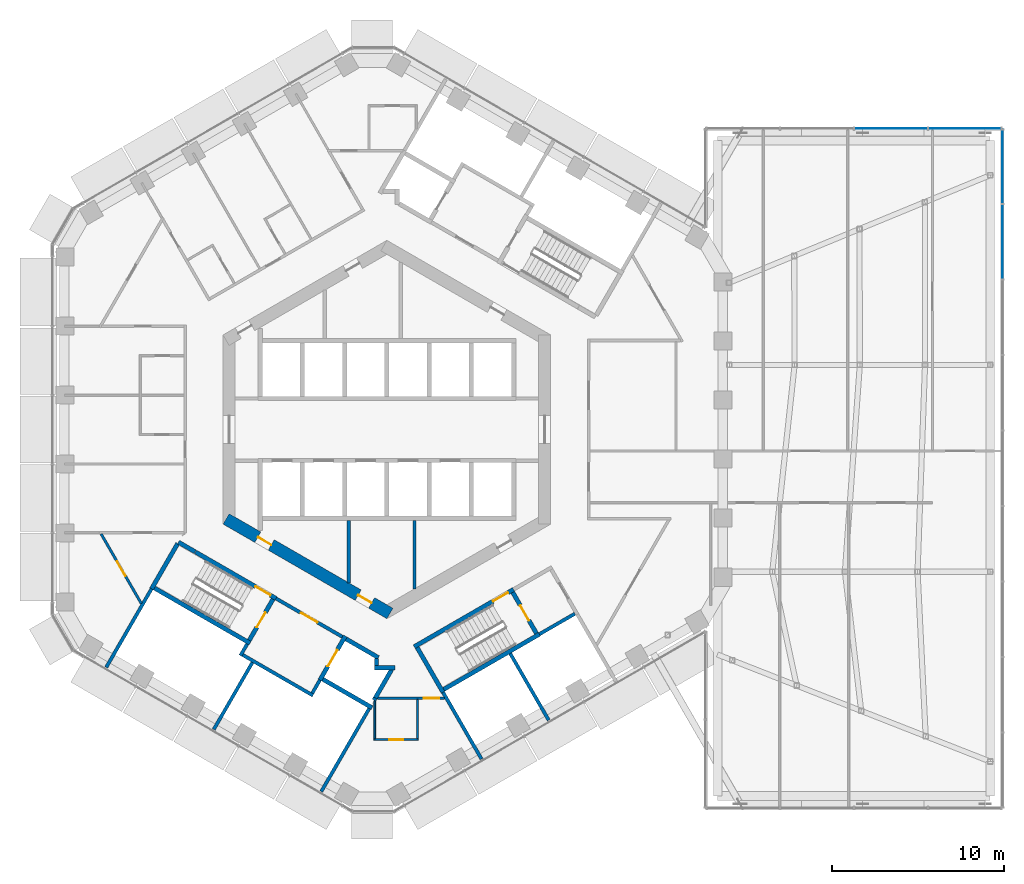
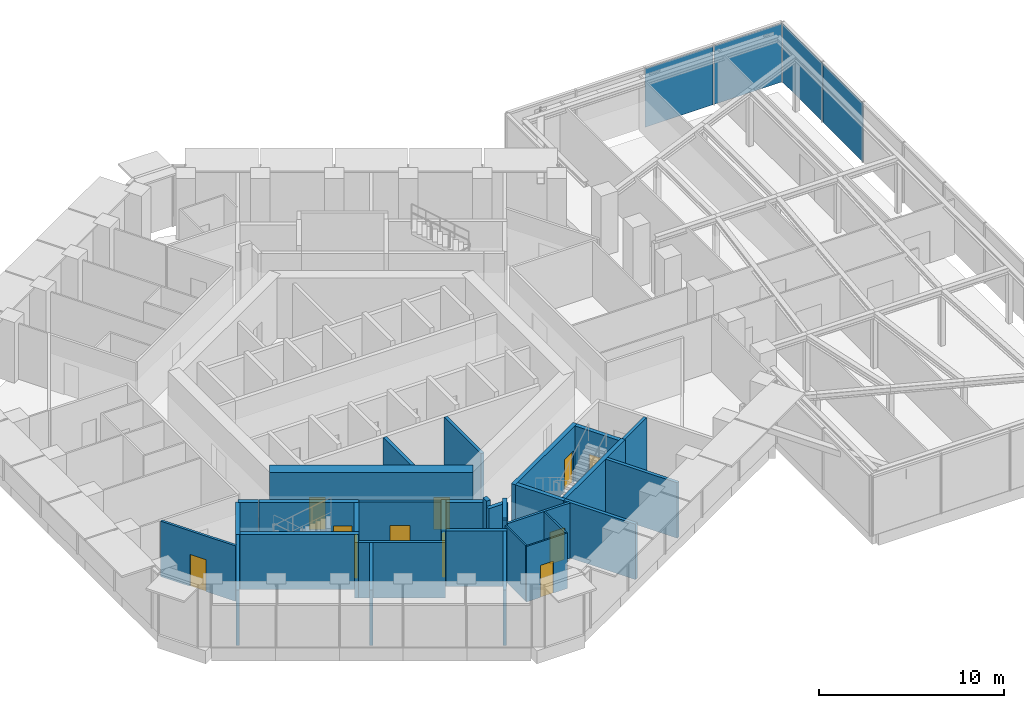
# One storey, part 16 of 24: 34 walls, 11 doors, 4 plates, 11 openings, 2 elements without a shape of their own.
"""IFC4 building model written with IfcOpenShell, lengths in metres."""

from ifc_helpers import new_model, si_unit, direction, frame, frame_2d, origin, origin_2d, place, context, subcontext, project, spatial, rectangle, extrude, material, layer, layer_set, type_object, element, fill, aggregate, save


model = new_model("IFC4")

# Units and contexts
model_context = context("Model", 3, precision=1e-05, world=origin(), true_north=direction((0.0, 1.0)))
body_context = subcontext(model_context, "Body", "Model", "MODEL_VIEW")
ifc_project = project(units=[si_unit("LENGTHUNIT", "METRE"), si_unit("AREAUNIT", "SQUARE_METRE"), si_unit("VOLUMEUNIT", "CUBIC_METRE"), si_unit("PLANEANGLEUNIT", "RADIAN"), si_unit("MASSUNIT", "GRAM", prefix="KILO")], contexts=[model_context])

# Site, building, storey
site_placement = place(None, origin())
site = spatial("IfcSite", under=ifc_project, at=site_placement, CompositionType="ELEMENT")
building_placement = place(site_placement, origin())
building = spatial("IfcBuilding", under=site, at=building_placement, Name="Ayvan Gate Tower", CompositionType="ELEMENT")
storey_placement = place(building_placement, frame((0.0, 0.0, 128.5)))
storey = spatial("IfcBuildingStorey", under=building, at=storey_placement, Name="L34", CompositionType="ELEMENT", Elevation=128.5)

# Curtain wall, plates
ifc_material_1 = material(Name="Bronze anodised aluminium", Category="aluminium")
ifc_layer_1 = layer(ifc_material_1, 0.199951171875)
ifc_layer_set_1 = layer_set([ifc_layer_1], Name="Bronze anodised aluminium")
curtain_wall_type = type_object("IfcCurtainWallType", Name="Stick curtain wall CW-4", PredefinedType="NOTDEFINED", material=ifc_layer_set_1)
curtain_wall_1_placement = place(storey_placement, origin())
curtain_wall_1 = element("IfcCurtainWall", 1, at=curtain_wall_1_placement, inside=storey, type_object=curtain_wall_type, Name="Stick curtain wall CW-4 L34", PredefinedType="NOTDEFINED")
ifc_material_2 = material(Name="Clear low-iron laminated glass", Category="glass")
ifc_layer_2 = layer(ifc_material_2, 0.028076171875)
ifc_layer_set_2 = layer_set([ifc_layer_2], Name="Clear low-iron laminated glass")
plate_type_1 = type_object("IfcPlateType", Name="Stick curtain wall CW-4 glass panel", PredefinedType="CURTAIN_PANEL", material=ifc_layer_set_2)
plate_1_placement = place(storey_placement, frame((35.685546875, 10.88330078125, 0.0), z_axis=(0.0, 0.0, 1.0), x_axis=(0.0, 1.0, 0.0)))
plate_1 = element("IfcPlate", 2, at=plate_1_placement, type_object=plate_type_1, Name="CW-4 glass panel 8", PredefinedType="CURTAIN_PANEL", context=body_context, shape_type="SweptSolid", body=[
    extrude(rectangle(XDim=4.2978515625, YDim=0.028076171875, at=origin_2d()), origin(), (0.0, 0.0, 1.0), 3.860107421875),
])
ifc_material_3 = material(Name="Pale anodised aluminium composite panel", Category="aluminium")
ifc_layer_3 = layer(ifc_material_3, 0.028076171875)
ifc_layer_set_3 = layer_set([ifc_layer_3], Name="Pale anodised aluminium composite panel")
plate_type_2 = type_object("IfcPlateType", Name="Stick curtain wall CW-4 solid panel", PredefinedType="CURTAIN_PANEL", material=ifc_layer_set_3)
plate_2_placement = place(storey_placement, frame((35.685546875, 15.26123046875, 0.0), z_axis=(0.0, 0.0, 1.0), x_axis=(0.0, 1.0, 0.0)))
plate_2 = element("IfcPlate", 3, at=plate_2_placement, type_object=plate_type_2, Name="CW-4 solid panel 9", PredefinedType="CURTAIN_PANEL", context=body_context, shape_type="SweptSolid", body=[
    extrude(rectangle(XDim=4.2978515625, YDim=0.028076171875, at=origin_2d()), origin(), (0.0, 0.0, 1.0), 3.860107421875),
])
aggregate(curtain_wall_1, [plate_1, plate_2])

curtain_wall_2_placement = place(storey_placement, origin())
curtain_wall_2 = element("IfcCurtainWall", 4, at=curtain_wall_2_placement, inside=storey, type_object=curtain_wall_type, Name="Stick curtain wall CW-4 L34", PredefinedType="NOTDEFINED")
plate_3_placement = place(storey_placement, frame((33.53564453125, 17.449951171875, 0.0), z_axis=(0.0, 0.0, 1.0), x_axis=(-1.0, 0.0, 0.0)))
plate_3 = element("IfcPlate", 5, at=plate_3_placement, type_object=plate_type_2, Name="CW-4 solid panel 1", PredefinedType="CURTAIN_PANEL", context=body_context, shape_type="SweptSolid", body=[
    extrude(rectangle(XDim=4.219970703125, YDim=0.028076171875, at=origin_2d()), origin(), (0.0, 0.0, 1.0), 3.860107421875),
])
plate_4_placement = place(storey_placement, frame((29.235595703125, 17.449951171875, 0.0), z_axis=(0.0, 0.0, 1.0), x_axis=(-1.0, 0.0, 0.0)))
plate_4 = element("IfcPlate", 6, at=plate_4_placement, type_object=plate_type_2, Name="CW-4 solid panel 2", PredefinedType="CURTAIN_PANEL", context=body_context, shape_type="SweptSolid", body=[
    extrude(rectangle(XDim=4.219970703125, YDim=0.028076171875, at=origin_2d()), origin(), (0.0, 0.0, 1.0), 3.860107421875),
])
aggregate(curtain_wall_2, [plate_3, plate_4])

# Wall, openings, doors
ifc_material_4 = material(Name="Concrete C70/85", Category="concrete")
ifc_layer_4 = layer(ifc_material_4, 0.699951171875)
ifc_layer_set_4 = layer_set([ifc_layer_4], Name="Concrete C70/85")
wall_type_1 = type_object("IfcWallType", Name="Core wall 700 C70/85", PredefinedType="SHEAR", material=ifc_layer_set_4)
wall_1_placement = place(storey_placement, frame((-9.324951171875, -5.181640625, 0.0), z_axis=(0.0, 0.0, 1.0), x_axis=(0.866023993627, -0.500002442456, 0.0)))
wall_1 = element("IfcWall", 7, at=wall_1_placement, inside=storey, type_object=wall_type_1, Name="CORE-L34-4", PredefinedType="SHEAR", context=body_context, shape_type="SweptSolid", body=[
    extrude(rectangle(XDim=10.9697265625, YDim=0.699951171875, at=frame_2d((5.48486328125, 0.0))), origin(), (0.0, 0.0, 1.0), 4.0),
])
opening_1_placement = place(wall_1_placement, frame((2.12451171875, 0.0, 0.0)))
opening_1 = element("IfcOpeningElement", 8, at=opening_1_placement, cuts=wall_1, Name="Opening L34-D46", PredefinedType="OPENING", context=body_context, shape_type="SweptSolid", body=[
    extrude(rectangle(XDim=0.89990234375, YDim=2.10009765625, at=frame_2d((0.449951171875, 1.050048828125))), frame((0.0, 0.35986328125, 0.0), z_axis=(0.0, -1.0, 0.0), x_axis=(1.0, 0.0, 0.0)), (0.0, 0.0, 1.0), 0.719970703125),
])
opening_2_placement = place(wall_1_placement, frame((8.8447265625, 0.0, 0.0)))
opening_2 = element("IfcOpeningElement", 9, at=opening_2_placement, cuts=wall_1, Name="Opening L34-D47", PredefinedType="OPENING", context=body_context, shape_type="SweptSolid", body=[
    extrude(rectangle(XDim=0.89990234375, YDim=2.10009765625, at=frame_2d((0.449951171875, 1.050048828125))), frame((0.0, 0.35986328125, 0.0), z_axis=(0.0, -1.0, 0.0), x_axis=(1.0, 0.0, 0.0)), (0.0, 0.0, 1.0), 0.719970703125),
])
ifc_material_5 = material(Name="Timber door leaf", Category="wood")
door_type_1 = type_object("IfcDoorType", Name="DT-900", OperationType="NOTDEFINED", PredefinedType="DOOR", material=ifc_material_5)
door_1_placement = place(opening_1_placement, origin())
door_1 = element("IfcDoor", 10, at=door_1_placement, inside=storey, type_object=door_type_1, Name="CD-L34-46", OperationType="SINGLE_SWING_RIGHT", OverallHeight=2.10009765625, OverallWidth=0.89990234375, PredefinedType="DOOR", context=body_context, shape_type="SweptSolid", body=[
    extrude(rectangle(XDim=0.89990234375, YDim=2.10009765625, at=frame_2d((0.449951171875, 1.050048828125))), frame((0.0, 0.02490234375, 0.0), z_axis=(0.0, -1.0, 0.0), x_axis=(1.0, 0.0, 0.0)), (0.0, 0.0, 1.0), 0.050048828125),
])
fill(opening_1, door_1)
door_2_placement = place(opening_2_placement, origin())
door_2 = element("IfcDoor", 11, at=door_2_placement, inside=storey, type_object=door_type_1, Name="CD-L34-47", OperationType="SINGLE_SWING_LEFT", OverallHeight=2.10009765625, OverallWidth=0.89990234375, PredefinedType="DOOR", context=body_context, shape_type="SweptSolid", body=[
    extrude(rectangle(XDim=0.89990234375, YDim=2.10009765625, at=frame_2d((0.449951171875, 1.050048828125))), frame((0.0, 0.02490234375, 0.0), z_axis=(0.0, -1.0, 0.0), x_axis=(1.0, 0.0, 0.0)), (0.0, 0.0, 1.0), 0.050048828125),
])
fill(opening_2, door_2)

# Wall, opening, door
ifc_material_6 = material(Name="Plasterboard on steel stud", Category="steel")
ifc_layer_5 = layer(ifc_material_6, 0.14990234375)
ifc_layer_set_5 = layer_set([ifc_layer_5], Name="Plasterboard on steel stud")
wall_type_2 = type_object("IfcWallType", Name="WT-CORR-150", PredefinedType="PARTITIONING", material=ifc_layer_set_5)
wall_2_placement = place(storey_placement, frame((-14.240234375, -10.091796875, 0.0), z_axis=(0.0, 0.0, 1.0), x_axis=(-0.500021330162, 0.86601308846, 0.0)))
wall_2 = element("IfcWall", 12, at=wall_2_placement, inside=storey, type_object=wall_type_2, Name="IW-L34-009", PredefinedType="PARTITIONING", context=body_context, shape_type="SweptSolid", body=[
    extrude(rectangle(XDim=4.666748046875, YDim=0.14990234375, at=frame_2d((2.33349609375, 0.0))), origin(), (0.0, 0.0, 1.0), 3.64990234375),
])
opening_3_placement = place(wall_2_placement, frame((1.83349609375, 0.0, 0.0)))
opening_3 = element("IfcOpeningElement", 13, at=opening_3_placement, cuts=wall_2, Name="Opening L34-D25", PredefinedType="OPENING", context=body_context, shape_type="SweptSolid", body=[
    extrude(rectangle(XDim=1.0, YDim=2.10009765625, at=frame_2d((0.5, 1.050048828125))), frame((0.0, 0.0849609375, 0.0), z_axis=(0.0, -1.0, 0.0), x_axis=(1.0, 0.0, 0.0)), (0.0, 0.0, 1.0), 0.169921875),
])
door_type_2 = type_object("IfcDoorType", Name="DT-1000", OperationType="NOTDEFINED", PredefinedType="DOOR", material=ifc_material_5)
door_3_placement = place(opening_3_placement, origin())
door_3 = element("IfcDoor", 14, at=door_3_placement, inside=storey, type_object=door_type_2, Name="ID-L34-025", OperationType="SINGLE_SWING_LEFT", OverallHeight=2.10009765625, OverallWidth=1.0, PredefinedType="DOOR", context=body_context, shape_type="SweptSolid", body=[
    extrude(rectangle(XDim=1.0, YDim=2.10009765625, at=frame_2d((0.5, 1.050048828125))), frame((0.0, 0.02490234375, 0.0), z_axis=(0.0, -1.0, 0.0), x_axis=(1.0, 0.0, 0.0)), (0.0, 0.0, 1.0), 0.050048828125),
])
fill(opening_3, door_3)

wall_3_placement = place(storey_placement, frame((-0.555419921875, -15.578369140625, 0.0), z_axis=(0.0, 0.0, 1.0), x_axis=(1.0, 0.0, 0.0)))
wall_3 = element("IfcWall", 15, at=wall_3_placement, inside=storey, type_object=wall_type_2, Name="IW-L34-073", PredefinedType="PARTITIONING", context=body_context, shape_type="SweptSolid", body=[
    extrude(rectangle(XDim=3.906982421875, YDim=0.14990234375, at=frame_2d((1.95361328125, 0.0))), origin(), (0.0, 0.0, 1.0), 3.64990234375),
])
opening_4_placement = place(wall_3_placement, frame((2.6806640625, 0.0, 0.0)))
opening_4 = element("IfcOpeningElement", 16, at=opening_4_placement, cuts=wall_3, Name="Opening L34-D26", PredefinedType="OPENING", context=body_context, shape_type="SweptSolid", body=[
    extrude(rectangle(XDim=0.89990234375, YDim=2.10009765625, at=frame_2d((0.449951171875, 1.050048828125))), frame((0.0, 0.0849609375, 0.0), z_axis=(0.0, -1.0, 0.0), x_axis=(1.0, 0.0, 0.0)), (0.0, 0.0, 1.0), 0.169921875),
])
door_4_placement = place(opening_4_placement, origin())
door_4 = element("IfcDoor", 17, at=door_4_placement, inside=storey, type_object=door_type_1, Name="ID-L34-026", OperationType="SINGLE_SWING_RIGHT", OverallHeight=2.10009765625, OverallWidth=0.89990234375, PredefinedType="DOOR", context=body_context, shape_type="SweptSolid", body=[
    extrude(rectangle(XDim=0.89990234375, YDim=2.10009765625, at=frame_2d((0.449951171875, 1.050048828125))), frame((0.0, 0.02490234375, 0.0), z_axis=(0.0, -1.0, 0.0), x_axis=(1.0, 0.0, 0.0)), (0.0, 0.0, 1.0), 0.050048828125),
])
fill(opening_4, door_4)

ifc_layer_6 = layer(ifc_material_6, 0.10009765625)
ifc_layer_set_6 = layer_set([ifc_layer_6], Name="Plasterboard on steel stud")
wall_type_3 = type_object("IfcWallType", Name="WT-PART-100", PredefinedType="PARTITIONING", material=ifc_layer_set_6)
wall_4_placement = place(storey_placement, frame((-0.747802734375, -17.978515625, 0.0), z_axis=(0.0, 0.0, 1.0), x_axis=(1.0, 0.0, 0.0)))
wall_4 = element("IfcWall", 18, at=wall_4_placement, inside=storey, type_object=wall_type_3, Name="IW-L34-054", PredefinedType="PARTITIONING", context=body_context, shape_type="SweptSolid", body=[
    extrude(rectangle(XDim=2.566650390625, YDim=0.10009765625, at=frame_2d((1.283203125, 0.0))), origin(), (0.0, 0.0, 1.0), 3.64990234375),
])
opening_5_placement = place(wall_4_placement, frame((0.88330078125, 0.0, 0.0)))
opening_5 = element("IfcOpeningElement", 19, at=opening_5_placement, cuts=wall_4, Name="Opening L34-D27", PredefinedType="OPENING", context=body_context, shape_type="SweptSolid", body=[
    extrude(rectangle(XDim=0.800048828125, YDim=2.10009765625, at=frame_2d((0.39990234375, 1.050048828125))), frame((0.0, 0.06005859375, 0.0), z_axis=(0.0, -1.0, 0.0), x_axis=(1.0, 0.0, 0.0)), (0.0, 0.0, 1.0), 0.1201171875),
])
door_type_3 = type_object("IfcDoorType", Name="DT-800", OperationType="NOTDEFINED", PredefinedType="DOOR", material=ifc_material_5)
door_5_placement = place(opening_5_placement, origin())
door_5 = element("IfcDoor", 20, at=door_5_placement, inside=storey, type_object=door_type_3, Name="ID-L34-027", OperationType="SINGLE_SWING_LEFT", OverallHeight=2.10009765625, OverallWidth=0.800048828125, PredefinedType="DOOR", context=body_context, shape_type="SweptSolid", body=[
    extrude(rectangle(XDim=0.800048828125, YDim=2.10009765625, at=frame_2d((0.39990234375, 1.050048828125))), frame((0.0, 0.02490234375, 0.0), z_axis=(0.0, -1.0, 0.0), x_axis=(1.0, 0.0, 0.0)), (0.0, 0.0, 1.0), 0.050048828125),
])
fill(opening_5, door_5)

# Walls
wall_5_placement = place(storey_placement, frame((-0.69775390625, -15.7333984375, 0.0), z_axis=(0.0, 0.0, 1.0), x_axis=(0.0, -1.0, 0.0)))
element("IfcWall", 21, at=wall_5_placement, inside=storey, type_object=wall_type_3, Name="IW-L34-055", PredefinedType="PARTITIONING", context=body_context, shape_type="SweptSolid", body=[
    extrude(rectangle(XDim=2.195068359375, YDim=0.10009765625, at=frame_2d((1.09765625, 0.0))), origin(), (0.0, 0.0, 1.0), 3.64990234375),
])
wall_6_placement = place(storey_placement, frame((1.768798828125, -17.928466796875, 0.0), z_axis=(0.0, 0.0, 1.0), x_axis=(0.0, 1.0, 0.0)))
element("IfcWall", 22, at=wall_6_placement, inside=storey, type_object=wall_type_3, Name="IW-L34-072", PredefinedType="PARTITIONING", context=body_context, shape_type="SweptSolid", body=[
    extrude(rectangle(XDim=2.275146484375, YDim=0.10009765625, at=frame_2d((1.1376953125, 0.0))), origin(), (0.0, 0.0, 1.0), 3.64990234375),
])
ifc_layer_7 = layer(ifc_material_6, 0.199951171875)
ifc_layer_set_7 = layer_set([ifc_layer_7], Name="Plasterboard on steel stud")
wall_type_4 = type_object("IfcWallType", Name="WT-PLUMB-200", PredefinedType="PLUMBINGWALL", material=ifc_layer_set_7)
wall_7_placement = place(storey_placement, frame((-16.276123046875, -13.791259765625, 0.0), z_axis=(0.0, 0.0, 1.0), x_axis=(0.499970375258, 0.866042506961, 0.0)))
element("IfcWall", 23, at=wall_7_placement, inside=storey, type_object=wall_type_4, Name="IW-L34-004", PredefinedType="PLUMBINGWALL", context=body_context, shape_type="SweptSolid", body=[
    extrude(rectangle(XDim=5.256591796875, YDim=0.199951171875, at=frame_2d((2.62841796875, 0.0))), origin(), (0.0, 0.0, 1.0), 3.64990234375),
])
wall_8_placement = place(storey_placement, frame((-8.492919921875, -13.110107421875, 0.0), z_axis=(0.0, 0.0, 1.0), x_axis=(0.500067724834, 0.865986299303, 0.0)))
element("IfcWall", 24, at=wall_8_placement, inside=storey, type_object=wall_type_4, Name="IW-L34-022", PredefinedType="PLUMBINGWALL", context=body_context, shape_type="SweptSolid", body=[
    extrude(rectangle(XDim=0.775390625, YDim=0.199951171875, at=frame_2d((0.3876953125, 0.0))), origin(), (0.0, 0.0, 1.0), 3.64990234375),
])
wall_9_placement = place(storey_placement, frame((-7.800048828125, -13.510009765625, 0.0), z_axis=(0.0, 0.0, 1.0), x_axis=(-0.499994393058, -0.866028640929, 0.0)))
element("IfcWall", 25, at=wall_9_placement, inside=storey, type_object=wall_type_4, Name="IW-L34-024", PredefinedType="PLUMBINGWALL", context=body_context, shape_type="SweptSolid", body=[
    extrude(rectangle(XDim=4.4814453125, YDim=0.199951171875, at=frame_2d((2.24072265625, 0.0))), origin(), (0.0, 0.0, 1.0), 3.64990234375),
])
wall_10_placement = place(storey_placement, frame((-8.356201171875, -13.073486328125, 0.0), z_axis=(0.0, 0.0, 1.0), x_axis=(0.866038532462, -0.499977259774, 0.0)))
element("IfcWall", 26, at=wall_10_placement, inside=storey, type_object=wall_type_4, Name="IW-L34-025", PredefinedType="PLUMBINGWALL", context=body_context, shape_type="SweptSolid", body=[
    extrude(rectangle(XDim=4.699951171875, YDim=0.199951171875, at=frame_2d((2.35009765625, 0.0))), origin(), (0.0, 0.0, 1.0), 3.64990234375),
])
wall_11_placement = place(storey_placement, frame((-3.885009765625, -14.52880859375, 0.0), z_axis=(0.0, 0.0, 1.0), x_axis=(-0.499859285417, -0.866106630146, 0.0)))
element("IfcWall", 27, at=wall_11_placement, inside=storey, type_object=wall_type_4, Name="IW-L34-041", PredefinedType="PLUMBINGWALL", context=body_context, shape_type="SweptSolid", body=[
    extrude(rectangle(XDim=0.875244140625, YDim=0.199951171875, at=frame_2d((0.4375, 0.0))), origin(), (0.0, 0.0, 1.0), 3.64990234375),
])
wall_12_placement = place(storey_placement, frame((-1.027099609375, -16.178955078125, 0.0), z_axis=(0.0, 0.0, 1.0), x_axis=(-0.499995019066, -0.866028279509, 0.0)))
element("IfcWall", 28, at=wall_12_placement, inside=storey, type_object=wall_type_4, Name="IW-L34-052", PredefinedType="PLUMBINGWALL", context=body_context, shape_type="SweptSolid", body=[
    extrude(rectangle(XDim=5.556640625, YDim=0.199951171875, at=frame_2d((2.7783203125, 0.0))), origin(), (0.0, 0.0, 1.0), 3.64990234375),
])
wall_13_placement = place(storey_placement, frame((3.255615234375, -15.23876953125, 0.0), z_axis=(0.0, 0.0, 1.0), x_axis=(0.499962311098, -0.866047162388, 0.0)))
element("IfcWall", 29, at=wall_13_placement, inside=storey, type_object=wall_type_4, Name="IW-L34-079", PredefinedType="PLUMBINGWALL", context=body_context, shape_type="SweptSolid", body=[
    extrude(rectangle(XDim=4.464111328125, YDim=0.199951171875, at=frame_2d((2.23193359375, 0.0))), origin(), (0.0, 0.0, 1.0), 3.64990234375),
])
wall_14_placement = place(storey_placement, frame((7.152587890625, -12.98876953125, 0.0), z_axis=(0.0, 0.0, 1.0), x_axis=(0.500003327856, -0.866023482437, 0.0)))
element("IfcWall", 30, at=wall_14_placement, inside=storey, type_object=wall_type_4, Name="IW-L34-086", PredefinedType="PLUMBINGWALL", context=body_context, shape_type="SweptSolid", body=[
    extrude(rectangle(XDim=4.46435546875, YDim=0.199951171875, at=frame_2d((2.232177734375, 0.0))), origin(), (0.0, 0.0, 1.0), 3.64990234375),
])
wall_15_placement = place(storey_placement, frame((10.900634765625, -10.6806640625, 0.0), z_axis=(0.0, 0.0, 1.0), x_axis=(-0.866007538022, -0.500030943131, 0.0)))
element("IfcWall", 31, at=wall_15_placement, inside=storey, type_object=wall_type_4, Name="IW-L34-098", PredefinedType="PLUMBINGWALL", context=body_context, shape_type="SweptSolid", body=[
    extrude(rectangle(XDim=2.374755859375, YDim=0.199951171875, at=frame_2d((1.1875, 0.0))), origin(), (0.0, 0.0, 1.0), 3.64990234375),
])

# Wall, opening, door
ifc_layer_8 = layer(ifc_material_6, 0.199951171875)
ifc_layer_set_8 = layer_set([ifc_layer_8], Name="Plasterboard on steel stud")
wall_type_5 = type_object("IfcWallType", Name="WT-RATED-200", PredefinedType="PARTITIONING", material=ifc_layer_set_8)
wall_16_placement = place(storey_placement, frame((-6.4345703125, -9.794921875, 0.0), z_axis=(0.0, 0.0, 1.0), x_axis=(0.866012907634, -0.500021643343, 0.0)))
wall_16 = element("IfcWall", 32, at=wall_16_placement, inside=storey, type_object=wall_type_5, Name="IW-L34-034", PredefinedType="PARTITIONING", context=body_context, shape_type="SweptSolid", body=[
    extrude(rectangle(XDim=4.449951171875, YDim=0.199951171875, at=frame_2d((2.22509765625, 0.0))), origin(), (0.0, 0.0, 1.0), 3.64990234375),
])
opening_6_placement = place(wall_16_placement, frame((1.675048828125, 0.0, 0.0)))
opening_6 = element("IfcOpeningElement", 33, at=opening_6_placement, cuts=wall_16, Name="Opening L34-D12", PredefinedType="OPENING", context=body_context, shape_type="SweptSolid", body=[
    extrude(rectangle(XDim=1.10009765625, YDim=2.10009765625, at=frame_2d((0.550048828125, 1.050048828125))), frame((0.0, 0.10986328125, 0.0), z_axis=(0.0, -1.0, 0.0), x_axis=(1.0, 0.0, 0.0)), (0.0, 0.0, 1.0), 0.219970703125),
])
door_type_4 = type_object("IfcDoorType", Name="DT-1100", OperationType="NOTDEFINED", PredefinedType="DOOR", material=ifc_material_5)
door_6_placement = place(opening_6_placement, origin())
door_6 = element("IfcDoor", 34, at=door_6_placement, inside=storey, type_object=door_type_4, Name="ID-L34-012", OperationType="SINGLE_SWING_RIGHT", OverallHeight=2.10009765625, OverallWidth=1.10009765625, PredefinedType="DOOR", context=body_context, shape_type="SweptSolid", body=[
    extrude(rectangle(XDim=1.10009765625, YDim=2.10009765625, at=frame_2d((0.550048828125, 1.050048828125))), frame((0.0, 0.02490234375, 0.0), z_axis=(0.0, -1.0, 0.0), x_axis=(1.0, 0.0, 0.0)), (0.0, 0.0, 1.0), 0.050048828125),
])
fill(opening_6, door_6)

# Walls
wall_17_placement = place(storey_placement, frame((-2.199951171875, -5.27490234375, 0.0), z_axis=(0.0, 0.0, 1.0), x_axis=(0.0, -1.0, 0.0)))
element("IfcWall", 35, at=wall_17_placement, inside=storey, type_object=wall_type_5, Name="IW-L34-049", PredefinedType="PARTITIONING", context=body_context, shape_type="SweptSolid", body=[
    extrude(rectangle(XDim=3.6162109375, YDim=0.199951171875, at=frame_2d((1.80810546875, 0.0))), origin(), (0.0, 0.0, 1.0), 3.64990234375),
])
wall_18_placement = place(storey_placement, frame((1.60009765625, -5.27490234375, 0.0), z_axis=(0.0, 0.0, 1.0), x_axis=(0.0, -1.0, 0.0)))
element("IfcWall", 36, at=wall_18_placement, inside=storey, type_object=wall_type_5, Name="IW-L34-068", PredefinedType="PARTITIONING", context=body_context, shape_type="SweptSolid", body=[
    extrude(rectangle(XDim=3.962646484375, YDim=0.199951171875, at=frame_2d((1.9814453125, 0.0))), origin(), (0.0, 0.0, 1.0), 3.64990234375),
])
ifc_material_7 = material(Name="Concrete C50/60", Category="concrete")
ifc_layer_9 = layer(ifc_material_7, 0.25)
ifc_layer_set_9 = layer_set([ifc_layer_9], Name="Concrete C50/60")
wall_type_6 = type_object("IfcWallType", Name="WT-RC-250", PredefinedType="SHEAR", material=ifc_layer_set_9)
wall_19_placement = place(storey_placement, frame((-13.64794921875, -9.23876953125, 0.0), z_axis=(0.0, 0.0, 1.0), x_axis=(0.50000556753, 0.866022189346, 0.0)))
element("IfcWall", 37, at=wall_19_placement, inside=storey, type_object=wall_type_6, Name="IW-L34-010", PredefinedType="SHEAR", context=body_context, shape_type="SweptSolid", body=[
    extrude(rectangle(XDim=3.03564453125, YDim=0.25, at=frame_2d((1.517822265625, 0.0))), origin(), (0.0, 0.0, 1.0), 3.64990234375),
])
wall_20_placement = place(storey_placement, frame((-12.08544921875, -6.532470703125, 0.0), z_axis=(0.0, 0.0, 1.0), x_axis=(0.86604373436, -0.499968249168, 0.0)))
element("IfcWall", 38, at=wall_20_placement, inside=storey, type_object=wall_type_6, Name="IW-L34-012", PredefinedType="SHEAR", context=body_context, shape_type="SweptSolid", body=[
    extrude(rectangle(XDim=1.11767578125, YDim=0.25, at=frame_2d((0.558837890625, 0.0))), origin(), (0.0, 0.0, 1.0), 3.64990234375),
])

# Wall, opening, door
wall_21_placement = place(storey_placement, frame((-11.10009765625, -7.101318359375, 0.0), z_axis=(0.0, 0.0, 1.0), x_axis=(0.866028615007, -0.499994437958, 0.0)))
wall_21 = element("IfcWall", 39, at=wall_21_placement, inside=storey, type_object=wall_type_6, Name="IW-L34-017", PredefinedType="SHEAR", context=body_context, shape_type="SweptSolid", body=[
    extrude(rectangle(XDim=5.38720703125, YDim=0.25, at=frame_2d((2.693603515625, 0.0))), origin(), (0.0, 0.0, 1.0), 3.64990234375),
])
opening_7_placement = place(wall_21_placement, frame((4.01220703125, 0.0, 0.0)))
opening_7 = element("IfcOpeningElement", 40, at=opening_7_placement, cuts=wall_21, Name="Opening L34-D10", PredefinedType="OPENING", context=body_context, shape_type="SweptSolid", body=[
    extrude(rectangle(XDim=1.0, YDim=2.10009765625, at=frame_2d((0.5, 1.050048828125))), frame((0.0, 0.135009765625, 0.0), z_axis=(0.0, -1.0, 0.0), x_axis=(1.0, 0.0, 0.0)), (0.0, 0.0, 1.0), 0.27001953125),
])
door_7_placement = place(opening_7_placement, origin())
door_7 = element("IfcDoor", 41, at=door_7_placement, inside=storey, type_object=door_type_2, Name="ID-L34-010", OperationType="SINGLE_SWING_RIGHT", OverallHeight=2.10009765625, OverallWidth=1.0, PredefinedType="DOOR", context=body_context, shape_type="SweptSolid", body=[
    extrude(rectangle(XDim=1.0, YDim=2.10009765625, at=frame_2d((0.5, 1.050048828125))), frame((0.0, 0.02490234375, 0.0), z_axis=(0.0, -1.0, 0.0), x_axis=(1.0, 0.0, 0.0)), (0.0, 0.0, 1.0), 0.050048828125),
])
fill(opening_7, door_7)

# Wall
wall_22_placement = place(storey_placement, frame((-7.9345703125, -12.39306640625, 0.0), z_axis=(0.0, 0.0, 1.0), x_axis=(-0.866025499775, 0.499999833739, 0.0)))
element("IfcWall", 42, at=wall_22_placement, inside=storey, type_object=wall_type_6, Name="IW-L34-023", PredefinedType="SHEAR", context=body_context, shape_type="SweptSolid", body=[
    extrude(rectangle(XDim=6.39990234375, YDim=0.25, at=frame_2d((3.199951171875, 0.0))), origin(), (0.0, 0.0, 1.0), 3.64990234375),
])

# Wall, opening, door
wall_23_placement = place(storey_placement, frame((-6.605224609375, -9.8408203125, 0.0), z_axis=(0.0, 0.0, 1.0), x_axis=(-0.499996545922, -0.866027397988, 0.0)))
wall_23 = element("IfcWall", 43, at=wall_23_placement, inside=storey, type_object=wall_type_6, Name="IW-L34-033", PredefinedType="SHEAR", context=body_context, shape_type="SweptSolid", body=[
    extrude(rectangle(XDim=2.75, YDim=0.25, at=frame_2d((1.375, 0.0))), origin(), (0.0, 0.0, 1.0), 3.64990234375),
])
opening_8_placement = place(wall_23_placement, frame((0.875, 0.0, 0.0)))
opening_8 = element("IfcOpeningElement", 44, at=opening_8_placement, cuts=wall_23, Name="Opening L34-D11", PredefinedType="OPENING", context=body_context, shape_type="SweptSolid", body=[
    extrude(rectangle(XDim=1.0, YDim=2.10009765625, at=frame_2d((0.5, 1.050048828125))), frame((0.0, 0.135009765625, 0.0), z_axis=(0.0, -1.0, 0.0), x_axis=(1.0, 0.0, 0.0)), (0.0, 0.0, 1.0), 0.27001953125),
])
door_8_placement = place(opening_8_placement, origin())
door_8 = element("IfcDoor", 45, at=door_8_placement, inside=storey, type_object=door_type_2, Name="ID-L34-011", OperationType="SINGLE_SWING_LEFT", OverallHeight=2.10009765625, OverallWidth=1.0, PredefinedType="DOOR", context=body_context, shape_type="SweptSolid", body=[
    extrude(rectangle(XDim=1.0, YDim=2.10009765625, at=frame_2d((0.5, 1.050048828125))), frame((0.0, 0.02490234375, 0.0), z_axis=(0.0, -1.0, 0.0), x_axis=(1.0, 0.0, 0.0)), (0.0, 0.0, 1.0), 0.050048828125),
])
fill(opening_8, door_8)

wall_24_placement = place(storey_placement, frame((-2.409912109375, -11.97412109375, 0.0), z_axis=(0.0, 0.0, 1.0), x_axis=(-0.500001826776, -0.866024349092, 0.0)))
wall_24 = element("IfcWall", 46, at=wall_24_placement, inside=storey, type_object=wall_type_6, Name="IW-L34-045", PredefinedType="SHEAR", context=body_context, shape_type="SweptSolid", body=[
    extrude(rectangle(XDim=2.9501953125, YDim=0.25, at=frame_2d((1.47509765625, 0.0))), origin(), (0.0, 0.0, 1.0), 3.64990234375),
])
opening_9_placement = place(wall_24_placement, frame((0.925048828125, 0.0, 0.0)))
opening_9 = element("IfcOpeningElement", 47, at=opening_9_placement, cuts=wall_24, Name="Opening L34-LD-FF2", PredefinedType="OPENING", context=body_context, shape_type="SweptSolid", body=[
    extrude(rectangle(XDim=1.10009765625, YDim=2.10009765625, at=frame_2d((0.550048828125, 1.050048828125))), frame((0.0, 0.135009765625, 0.0), z_axis=(0.0, -1.0, 0.0), x_axis=(1.0, 0.0, 0.0)), (0.0, 0.0, 1.0), 0.27001953125),
])
ifc_material_8 = material(Name="Stainless steel landing door", Category="steel")
door_type_5 = type_object("IfcDoorType", Name="DT-LANDING-1100", OperationType="SLIDING_TO_LEFT", PredefinedType="DOOR", material=ifc_material_8)
door_9_placement = place(opening_9_placement, origin())
door_9 = element("IfcDoor", 48, at=door_9_placement, inside=storey, type_object=door_type_5, Name="ID-L34-013", OperationType="SLIDING_TO_LEFT", OverallHeight=2.10009765625, OverallWidth=1.10009765625, PredefinedType="DOOR", context=body_context, shape_type="SweptSolid", body=[
    extrude(rectangle(XDim=1.10009765625, YDim=2.10009765625, at=frame_2d((0.550048828125, 1.050048828125))), frame((0.0, 0.02490234375, 0.0), z_axis=(0.0, -1.0, 0.0), x_axis=(1.0, 0.0, 0.0)), (0.0, 0.0, 1.0), 0.050048828125),
])
fill(opening_9, door_9)

# Walls
wall_25_placement = place(storey_placement, frame((-2.3642578125, -12.14501953125, 0.0), z_axis=(0.0, 0.0, 1.0), x_axis=(0.86603892542, -0.499976579108, 0.0)))
element("IfcWall", 49, at=wall_25_placement, inside=storey, type_object=wall_type_6, Name="IW-L34-046", PredefinedType="SHEAR", context=body_context, shape_type="SweptSolid", body=[
    extrude(rectangle(XDim=2.162109375, YDim=0.25, at=frame_2d((1.0810546875, 0.0))), origin(), (0.0, 0.0, 1.0), 3.64990234375),
])
wall_26_placement = place(storey_placement, frame((-0.8564453125, -16.13330078125, 0.0), z_axis=(0.0, 0.0, 1.0), x_axis=(-0.866021716278, 0.500006386895, 0.0)))
element("IfcWall", 50, at=wall_26_placement, inside=storey, type_object=wall_type_6, Name="IW-L34-053", PredefinedType="SHEAR", context=body_context, shape_type="SweptSolid", body=[
    extrude(rectangle(XDim=3.2998046875, YDim=0.25, at=frame_2d((1.64990234375, 0.0))), origin(), (0.0, 0.0, 1.0), 3.64990234375),
])
wall_27_placement = place(storey_placement, frame((-0.672607421875, -15.56494140625, 0.0), z_axis=(0.0, 0.0, 1.0), x_axis=(-0.499486146622, -0.866321873978, 0.0)))
element("IfcWall", 51, at=wall_27_placement, inside=storey, type_object=wall_type_6, Name="IW-L34-056", PredefinedType="SHEAR", context=body_context, shape_type="SweptSolid", body=[
    extrude(rectangle(XDim=0.149169921875, YDim=0.25, at=frame_2d((0.07470703125, 0.0))), origin(), (0.0, 0.0, 1.0), 4.0),
])
wall_28_placement = place(storey_placement, frame((-0.72509765625, -13.81005859375, 0.0), z_axis=(0.0, 0.0, 1.0), x_axis=(1.0, 0.0, 0.0)))
element("IfcWall", 52, at=wall_28_placement, inside=storey, type_object=wall_type_6, Name="IW-L34-057", PredefinedType="SHEAR", context=body_context, shape_type="SweptSolid", body=[
    extrude(rectangle(XDim=1.190673828125, YDim=0.25, at=frame_2d((0.59521484375, 0.0))), origin(), (0.0, 0.0, 1.0), 3.64990234375),
])
wall_29_placement = place(storey_placement, frame((-0.60009765625, -13.28857421875, 0.0), z_axis=(0.0, 0.0, 1.0), x_axis=(0.0, -1.0, 0.0)))
element("IfcWall", 53, at=wall_29_placement, inside=storey, type_object=wall_type_6, Name="IW-L34-058", PredefinedType="SHEAR", context=body_context, shape_type="SweptSolid", body=[
    extrude(rectangle(XDim=0.396484375, YDim=0.25, at=frame_2d((0.1982421875, 0.0))), origin(), (0.0, 0.0, 1.0), 4.0),
])
wall_30_placement = place(storey_placement, frame((0.278076171875, -13.918212890625, 0.0), z_axis=(0.0, 0.0, 1.0), x_axis=(-0.499984020225, -0.866034629516, 0.0)))
element("IfcWall", 54, at=wall_30_placement, inside=storey, type_object=wall_type_6, Name="IW-L34-062", PredefinedType="SHEAR", context=body_context, shape_type="SweptSolid", body=[
    extrude(rectangle(XDim=1.912109375, YDim=0.25, at=frame_2d((0.9560546875, 0.0))), origin(), (0.0, 0.0, 1.0), 4.0),
])

# Wall, opening, door
wall_31_placement = place(storey_placement, frame((1.584716796875, -12.594970703125, 0.0), z_axis=(0.0, 0.0, 1.0), x_axis=(0.866036417653, 0.499980922934, 0.0)))
wall_31 = element("IfcWall", 55, at=wall_31_placement, inside=storey, type_object=wall_type_6, Name="IW-L34-069", PredefinedType="SHEAR", context=body_context, shape_type="SweptSolid", body=[
    extrude(rectangle(XDim=6.650146484375, YDim=0.25, at=frame_2d((3.3251953125, 0.0))), origin(), (0.0, 0.0, 1.0), 3.64990234375),
])
opening_10_placement = place(wall_31_placement, frame((5.27490234375, 0.0, 0.0)))
opening_10 = element("IfcOpeningElement", 56, at=opening_10_placement, cuts=wall_31, Name="Opening L34-D14", PredefinedType="OPENING", context=body_context, shape_type="SweptSolid", body=[
    extrude(rectangle(XDim=1.0, YDim=2.10009765625, at=frame_2d((0.5, 1.050048828125))), frame((0.0, 0.135009765625, 0.0), z_axis=(0.0, -1.0, 0.0), x_axis=(1.0, 0.0, 0.0)), (0.0, 0.0, 1.0), 0.27001953125),
])
door_10_placement = place(opening_10_placement, origin())
door_10 = element("IfcDoor", 57, at=door_10_placement, inside=storey, type_object=door_type_2, Name="ID-L34-014", OperationType="SINGLE_SWING_RIGHT", OverallHeight=2.10009765625, OverallWidth=1.0, PredefinedType="DOOR", context=body_context, shape_type="SweptSolid", body=[
    extrude(rectangle(XDim=1.0, YDim=2.10009765625, at=frame_2d((0.5, 1.050048828125))), frame((0.0, 0.02490234375, 0.0), z_axis=(0.0, -1.0, 0.0), x_axis=(1.0, 0.0, 0.0)), (0.0, 0.0, 1.0), 0.050048828125),
])
fill(opening_10, door_10)

# Walls
wall_32_placement = place(storey_placement, frame((3.255615234375, -15.23876953125, 0.0), z_axis=(0.0, 0.0, 1.0), x_axis=(-0.50002537861, 0.866010750942, 0.0)))
element("IfcWall", 58, at=wall_32_placement, inside=storey, type_object=wall_type_6, Name="IW-L34-078", PredefinedType="SHEAR", context=body_context, shape_type="SweptSolid", body=[
    extrude(rectangle(XDim=2.999755859375, YDim=0.25, at=frame_2d((1.5, 0.0))), origin(), (0.0, 0.0, 1.0), 3.64990234375),
])
wall_33_placement = place(storey_placement, frame((3.30126953125, -15.068115234375, 0.0), z_axis=(0.0, 0.0, 1.0), x_axis=(0.866035036182, 0.499983315828, 0.0)))
element("IfcWall", 59, at=wall_33_placement, inside=storey, type_object=wall_type_6, Name="IW-L34-087", PredefinedType="SHEAR", context=body_context, shape_type="SweptSolid", body=[
    extrude(rectangle(XDim=6.400146484375, YDim=0.25, at=frame_2d((3.2001953125, 0.0))), origin(), (0.0, 0.0, 1.0), 3.64990234375),
])

# Wall, opening, door
wall_34_placement = place(storey_placement, frame((7.298095703125, -9.44091796875, 0.0), z_axis=(0.0, 0.0, 1.0), x_axis=(0.500034990121, -0.866005201286, 0.0)))
wall_34 = element("IfcWall", 60, at=wall_34_placement, inside=storey, type_object=wall_type_6, Name="IW-L34-088", PredefinedType="SHEAR", context=body_context, shape_type="SweptSolid", body=[
    extrude(rectangle(XDim=2.749755859375, YDim=0.25, at=frame_2d((1.375, 0.0))), origin(), (0.0, 0.0, 1.0), 3.64990234375),
])
opening_11_placement = place(wall_34_placement, frame((0.875, 0.0, 0.0)))
opening_11 = element("IfcOpeningElement", 61, at=opening_11_placement, cuts=wall_34, Name="Opening L34-D16", PredefinedType="OPENING", context=body_context, shape_type="SweptSolid", body=[
    extrude(rectangle(XDim=1.0, YDim=2.10009765625, at=frame_2d((0.5, 1.050048828125))), frame((0.0, 0.135009765625, 0.0), z_axis=(0.0, -1.0, 0.0), x_axis=(1.0, 0.0, 0.0)), (0.0, 0.0, 1.0), 0.27001953125),
])
door_11_placement = place(opening_11_placement, origin())
door_11 = element("IfcDoor", 62, at=door_11_placement, inside=storey, type_object=door_type_2, Name="ID-L34-016", OperationType="SINGLE_SWING_RIGHT", OverallHeight=2.10009765625, OverallWidth=1.0, PredefinedType="DOOR", context=body_context, shape_type="SweptSolid", body=[
    extrude(rectangle(XDim=1.0, YDim=2.10009765625, at=frame_2d((0.5, 1.050048828125))), frame((0.0, 0.02490234375, 0.0), z_axis=(0.0, -1.0, 0.0), x_axis=(1.0, 0.0, 0.0)), (0.0, 0.0, 1.0), 0.050048828125),
])
fill(opening_11, door_11)

save(model, "model.ifc")
